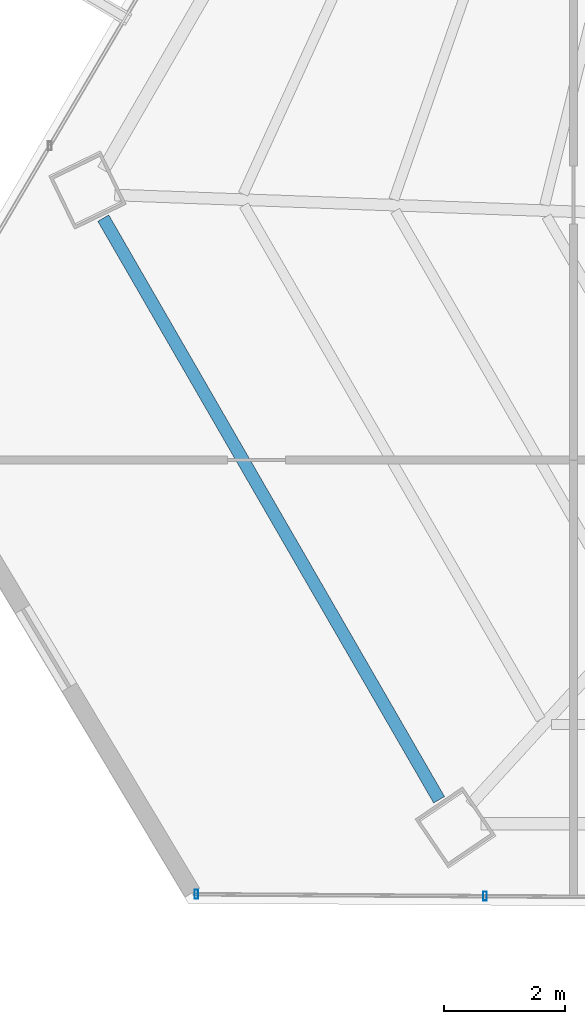
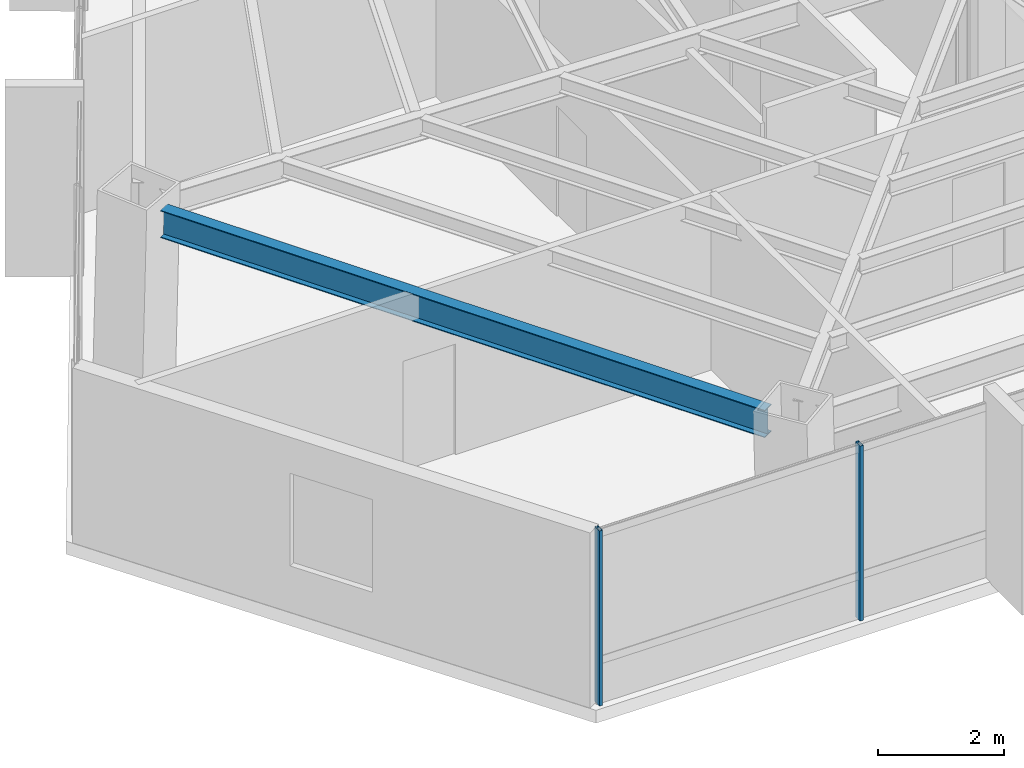
# One storey, part 2 of 41: 2 members, 1 beam, 1 element without a shape of its own.
"""IFC4 building model written with IfcOpenShell, lengths in metres."""

from ifc_helpers import new_model, si_unit, direction, frame, origin, origin_2d, place, context, subcontext, project, spatial, hollow_rectangle, i_section, extrude, source, transform, mapped, material, material_profile, profile_set, type_object, type_shapes, element, aggregate, save


model = new_model("IFC4")

# Units and contexts
model_context = context("Model", 3, precision=1e-05, world=origin(), true_north=direction((0.0, 1.0)))
body_context = subcontext(model_context, "Body", "Model", "MODEL_VIEW")
ifc_project = project(units=[si_unit("LENGTHUNIT", "METRE"), si_unit("AREAUNIT", "SQUARE_METRE"), si_unit("VOLUMEUNIT", "CUBIC_METRE"), si_unit("PLANEANGLEUNIT", "RADIAN"), si_unit("MASSUNIT", "GRAM", prefix="KILO")], contexts=[model_context])

# Site, building, storey
site_placement = place(None, origin())
site = spatial("IfcSite", under=ifc_project, at=site_placement, CompositionType="ELEMENT")
building_placement = place(site_placement, origin())
building = spatial("IfcBuilding", under=site, at=building_placement, Name="Caelisora Broadcast Tower", CompositionType="ELEMENT")
storey_placement = place(building_placement, frame((0.0, 0.0, 162.14990234375)))
storey = spatial("IfcBuildingStorey", under=building, at=storey_placement, Name="L42", CompositionType="ELEMENT", Elevation=162.14990234375)

# Beam
ifc_material_1 = material(Name="Steel Grade 350 (AS/NZS 3679.1)", Category="steel")
ifc_material_profile_1 = material_profile(ifc_material_1, i_section(OverallWidth=0.208984375, OverallDepth=0.532958984375, WebThickness=0.01025390625, FlangeThickness=0.015625, at=origin_2d()), Name="Steel Grade 350 (AS/NZS 3679.1)")
ifc_profile_set_1 = profile_set([ifc_material_profile_1], Name="Steel Grade 350 (AS/NZS 3679.1)")
beam_type = type_object("IfcBeamType", Name="PG05", PredefinedType="BEAM", material=ifc_profile_set_1)
shared_shape_1 = source(origin(), body_context, "Body", "SweptSolid", [
    extrude(i_section(OverallWidth=0.208984375, OverallDepth=0.532958984375, WebThickness=0.01025390625, FlangeThickness=0.015625, at=origin_2d()), origin(), (0.0, 0.0, 1.0), 11.1005859375),
])
type_shapes(beam_type, [shared_shape_1])
beam_placement = place(storey_placement, frame((15.72607421875, 17.549072265625, 3.133544921875), z_axis=(0.500004219487, -0.866022967649, 0.0), x_axis=(0.866022967649, 0.500004219487, 0.0)))
element("IfcBeam", 1, at=beam_placement, inside=storey, type_object=beam_type, Name="L42 beam PG05", PredefinedType="BEAM", context=body_context, shape_type="MappedRepresentation", body=[
    mapped(shared_shape_1, transform((0.0, 0.0, 0.0), scale=1.0)),
])

# Curtain wall, members
ifc_material_2 = material(Name="Unitised Aluminium and Low-E Glass Curtain Wall", Category="glass")
curtain_wall_type = type_object("IfcCurtainWallType", Name="CW-Z3", PredefinedType="NOTDEFINED", material=ifc_material_2)
curtain_wall_placement = place(storey_placement, origin())
curtain_wall = element("IfcCurtainWall", 2, at=curtain_wall_placement, inside=storey, type_object=curtain_wall_type, Name="L42 curtain wall CW-Z3", PredefinedType="NOTDEFINED")
ifc_material_3 = material(Name="Aluminium 6063-T6 Anodised Terracotta Bronze", Category="aluminium")
ifc_material_profile_2 = material_profile(ifc_material_3, hollow_rectangle(XDim=0.06005859375, YDim=0.14990234375, WallThickness=0.00341796875, at=origin_2d()), Name="Aluminium 6063-T6 Anodised Terracotta Bronze")
ifc_profile_set_2 = profile_set([ifc_material_profile_2], Name="Aluminium 6063-T6 Anodised Terracotta Bronze")
member_type = type_object("IfcMemberType", Name="CWM-03", PredefinedType="MULLION", material=ifc_profile_set_2)
shared_shape_2 = source(origin(), body_context, "Body", "SweptSolid", [
    extrude(hollow_rectangle(XDim=0.06005859375, YDim=0.14990234375, WallThickness=0.00341796875, at=origin_2d()), origin(), (0.0, 0.0, 1.0), 3.400146484375),
])
type_shapes(member_type, [shared_shape_2])
member_1_placement = place(storey_placement, frame((22.0361328125, 6.342529296875, 0.0), z_axis=(0.0, 0.0, 1.0), x_axis=(1.0, 0.0, 0.0)))
member_1 = element("IfcMember", 3, at=member_1_placement, type_object=member_type, Name="L42-CW-B07 mullion #2", PredefinedType="MULLION", context=body_context, shape_type="MappedRepresentation", body=[
    mapped(shared_shape_2, transform((0.0, 0.0, 0.0), scale=1.0)),
])
member_2_placement = place(storey_placement, frame((17.263916015625, 6.373779296875, 0.0), z_axis=(0.0, 0.0, 1.0), x_axis=(1.0, 0.0, 0.0)))
member_2 = element("IfcMember", 4, at=member_2_placement, type_object=member_type, Name="L42-CW-B07 mullion #3", PredefinedType="MULLION", context=body_context, shape_type="MappedRepresentation", body=[
    mapped(shared_shape_2, transform((0.0, 0.0, 0.0), scale=1.0)),
])
aggregate(curtain_wall, [member_1, member_2])

save(model, "model.ifc")
